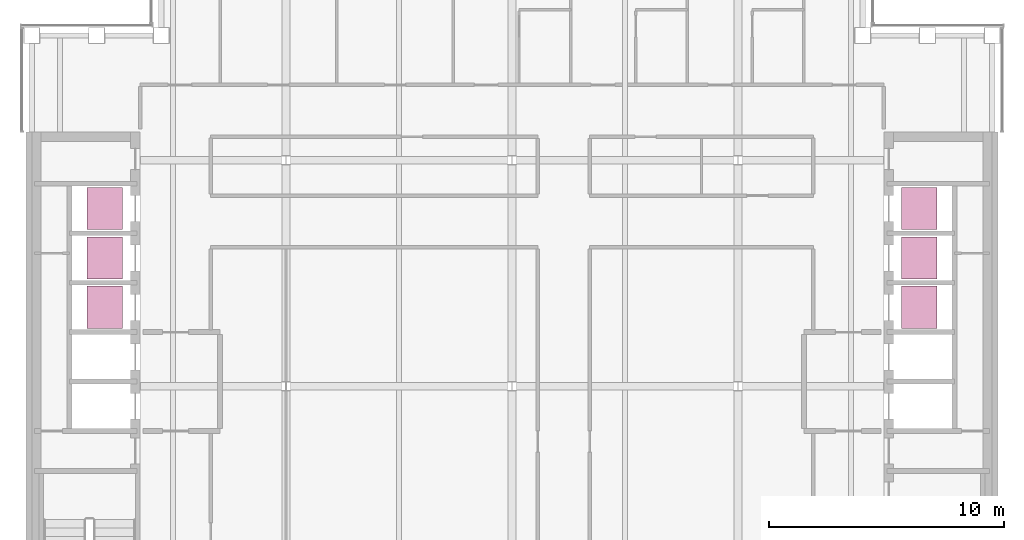
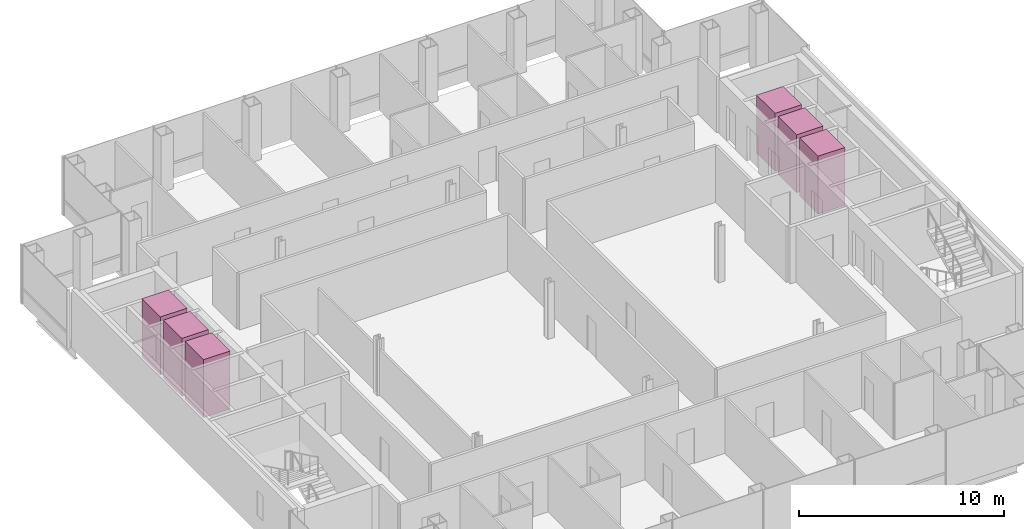
# One storey, part 15 of 15: 6 transport elements.
"""IFC4 building model written with IfcOpenShell, lengths in metres."""

from ifc_helpers import new_model, si_unit, direction, frame, origin, origin_2d, place, context, subcontext, project, spatial, rectangle, extrude, material, type_object, element, save


model = new_model("IFC4")

# Units and contexts
model_context = context("Model", 3, precision=1e-05, world=origin(), true_north=direction((0.0, 1.0)))
body_context = subcontext(model_context, "Body", "Model", "MODEL_VIEW")
ifc_project = project(units=[si_unit("LENGTHUNIT", "METRE"), si_unit("AREAUNIT", "SQUARE_METRE"), si_unit("VOLUMEUNIT", "CUBIC_METRE"), si_unit("PLANEANGLEUNIT", "RADIAN"), si_unit("MASSUNIT", "GRAM", prefix="KILO")], contexts=[model_context])

# Site, building, storey
site_placement = place(None, origin())
site = spatial("IfcSite", under=ifc_project, at=site_placement, CompositionType="ELEMENT")
building_placement = place(site_placement, origin())
building = spatial("IfcBuilding", under=site, at=building_placement, Name="Cobrizo Arcos Hotel Tower", CompositionType="ELEMENT")
storey_placement = place(building_placement, frame((0.0, 0.0, 215.5)))
storey = spatial("IfcBuildingStorey", under=building, at=storey_placement, Name="L56", CompositionType="ELEMENT", Elevation=215.5)

# Transport elements
ifc_material = material(Name="Stainless steel car", Category="steel")
transport_element_type = type_object("IfcTransportElementType", Name="Lift car High 1.8x1.5", PredefinedType="ELEVATOR", material=ifc_material)
for number, where, z_axis, x_axis, name in (
    (1, (-17.300048828125, 3.35009765625, 0.0), (0.0, 0.0, 1.0), (1.0, 0.0, 0.0), "High-rise passenger lift W1"),
    (2, (-17.300048828125, 5.449951171875, 0.0), (0.0, 0.0, 1.0), (1.0, 0.0, 0.0), "High-rise passenger lift W2"),
    (3, (-17.300048828125, 7.550048828125, 0.0), (0.0, 0.0, 1.0), (1.0, 0.0, 0.0), "High-rise passenger lift W3"),
    (4, (17.300048828125, 3.35009765625, 0.0), (0.0, 0.0, 1.0), (1.0, 0.0, 0.0), "High-rise passenger lift E1"),
    (5, (17.300048828125, 5.449951171875, 0.0), (0.0, 0.0, 1.0), (1.0, 0.0, 0.0), "High-rise passenger lift E2"),
    (6, (17.300048828125, 7.550048828125, 0.0), (0.0, 0.0, 1.0), (1.0, 0.0, 0.0), "High-rise passenger lift E3"),
):
    element("IfcTransportElement", number, at=place(storey_placement, frame(where, z_axis=z_axis, x_axis=x_axis)), inside=storey, type_object=transport_element_type, Name=name, PredefinedType="ELEVATOR", context=body_context, shape_type="SweptSolid", body=[
        extrude(rectangle(XDim=1.5, YDim=1.800048828125, at=origin_2d()), origin(), (0.0, 0.0, 1.0), 3.449951171875),
    ])

save(model, "model.ifc")
